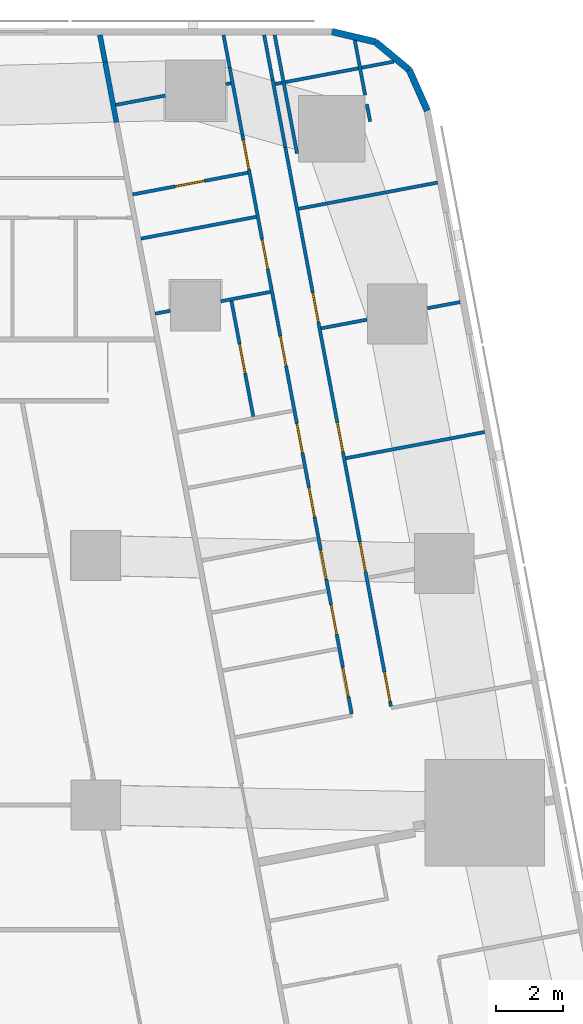
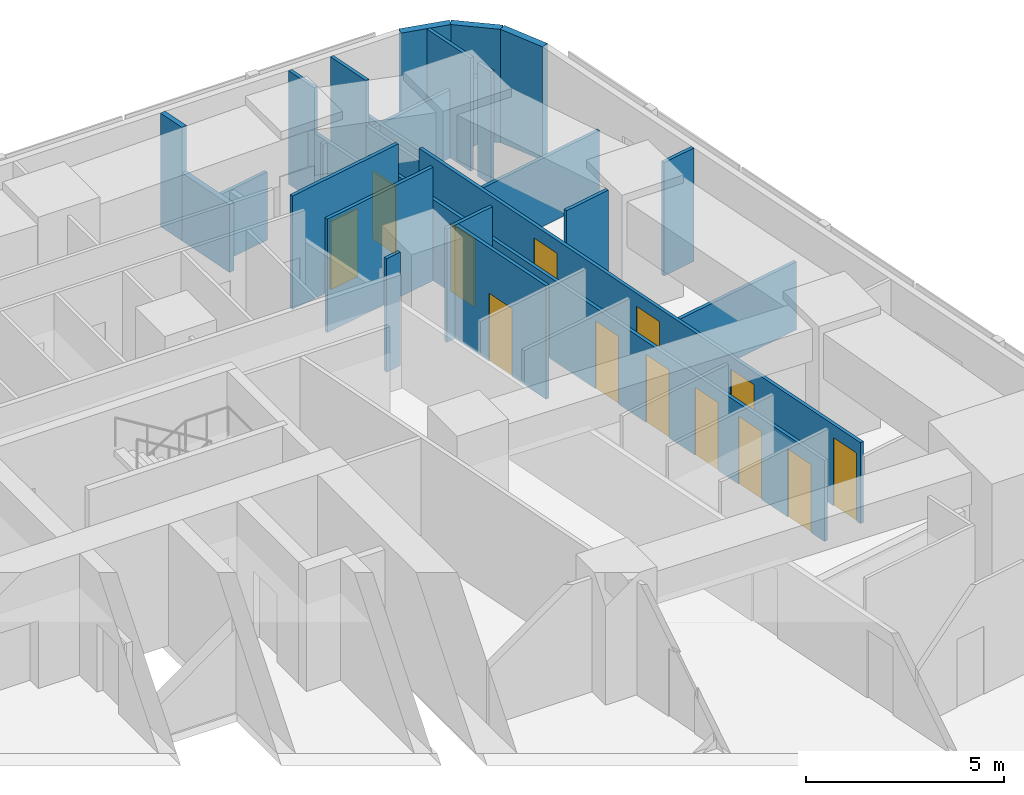
# One storey, part 11 of 15: 26 walls, 14 doors, 14 openings.
"""IFC4 building model written with IfcOpenShell, lengths in metres."""

from ifc_helpers import new_model, si_unit, direction, frame, frame_2d, origin, place, context, subcontext, project, spatial, rectangle, extrude, material, layer, layer_set, type_object, element, fill, save


model = new_model("IFC4")

# Units and contexts
model_context = context("Model", 3, precision=1e-05, world=origin(), true_north=direction((0.0, 1.0)))
body_context = subcontext(model_context, "Body", "Model", "MODEL_VIEW")
ifc_project = project(units=[si_unit("LENGTHUNIT", "METRE"), si_unit("AREAUNIT", "SQUARE_METRE"), si_unit("VOLUMEUNIT", "CUBIC_METRE"), si_unit("PLANEANGLEUNIT", "RADIAN"), si_unit("MASSUNIT", "GRAM", prefix="KILO")], contexts=[model_context])

# Site, building, storey
site_placement = place(None, origin())
site = spatial("IfcSite", under=ifc_project, at=site_placement, CompositionType="ELEMENT")
building_placement = place(site_placement, origin())
building = spatial("IfcBuilding", under=site, at=building_placement, Name="Sheger Commons Tower", CompositionType="ELEMENT")
storey_placement = place(building_placement, frame((0.0, 0.0, 139.550048828125)))
storey = spatial("IfcBuildingStorey", under=building, at=storey_placement, Name="L35", CompositionType="ELEMENT", Elevation=139.550048828125)

# Walls
ifc_material_1 = material(Name="Hollow concrete block masonry, skimmed both sides", Category="masonry")
ifc_layer_1 = layer(ifc_material_1, 0.14990234375)
ifc_layer_set_1 = layer_set([ifc_layer_1], Name="CORRIDOR WALL 150")
wall_type_1 = type_object("IfcWallType", Name="CORRIDOR WALL 150", PredefinedType="SOLIDWALL", material=ifc_layer_set_1)
wall_1_placement = place(storey_placement, frame((33.126953125, 45.64990234375, 0.0), z_axis=(0.0, 0.0, 1.0), x_axis=(0.186176514576, -0.982516313056, 0.0)))
element("IfcWall", 1, at=wall_1_placement, inside=storey, type_object=wall_type_1, Name="Corridor wall L35", PredefinedType="SOLIDWALL", context=body_context, shape_type="SweptSolid", body=[
    extrude(rectangle(XDim=0.827392578125, YDim=0.14990234375, at=frame_2d((0.41357421875, 0.0))), origin(), (0.0, 0.0, 1.0), 3.5),
])
wall_2_placement = place(storey_placement, frame((33.281005859375, 44.8369140625, 0.0), z_axis=(0.0, 0.0, 1.0), x_axis=(0.185198323004, -0.982701165745, 0.0)))
element("IfcWall", 2, at=wall_2_placement, inside=storey, type_object=wall_type_1, Name="Corridor wall L35", PredefinedType="SOLIDWALL", context=body_context, shape_type="SweptSolid", body=[
    extrude(rectangle(XDim=1.846923828125, YDim=0.14990234375, at=frame_2d((0.92333984375, 0.0))), origin(), (0.0, 0.0, 1.0), 2.099853515625),
])
ifc_material_2 = material(Name="Rendered concrete block masonry, dark grey", Category="masonry")
ifc_layer_2 = layer(ifc_material_2, 0.199951171875)
ifc_layer_set_2 = layer_set([ifc_layer_2], Name="FACADE WALL 200")
wall_type_2 = type_object("IfcWallType", Name="FACADE WALL 200", PredefinedType="SOLIDWALL", material=ifc_layer_set_2)
wall_3_placement = place(storey_placement, frame((42.969970703125, 43.376953125, 0.0), z_axis=(0.0, 0.0, 1.0), x_axis=(-0.406002956633, 0.913871762998, 0.0)))
element("IfcWall", 3, at=wall_3_placement, inside=storey, type_object=wall_type_2, Name="Facade wall L35", PredefinedType="SOLIDWALL", context=body_context, shape_type="SweptSolid", body=[
    extrude(rectangle(XDim=1.33740234375, YDim=0.199951171875, at=frame_2d((0.668701171875, 0.0))), origin(), (0.0, 0.0, 1.0), 3.5),
])
wall_4_placement = place(storey_placement, frame((42.427001953125, 44.59912109375, 0.0), z_axis=(0.0, 0.0, 1.0), x_axis=(-0.770091412544, 0.637933551655, 0.0)))
element("IfcWall", 4, at=wall_4_placement, inside=storey, type_object=wall_type_2, Name="Facade wall L35", PredefinedType="SOLIDWALL", context=body_context, shape_type="SweptSolid", body=[
    extrude(rectangle(XDim=1.324462890625, YDim=0.199951171875, at=frame_2d((0.662109375, 0.0))), origin(), (0.0, 0.0, 1.0), 3.5),
])
wall_5_placement = place(storey_placement, frame((41.406982421875, 45.444091796875, 0.0), z_axis=(0.0, 0.0, 1.0), x_axis=(-0.973453091607, 0.228886606077, 0.0)))
element("IfcWall", 5, at=wall_5_placement, inside=storey, type_object=wall_type_2, Name="Facade wall L35", PredefinedType="SOLIDWALL", context=body_context, shape_type="SweptSolid", body=[
    extrude(rectangle(XDim=1.33642578125, YDim=0.199951171875, at=frame_2d((0.668212890625, 0.0))), origin(), (0.0, 0.0, 1.0), 3.5),
])
ifc_material_3 = material(Name="Gypsum board on steel studs", Category="steel")
ifc_layer_3 = layer(ifc_material_3, 0.10009765625)
ifc_layer_set_3 = layer_set([ifc_layer_3], Name="PARTITION 100")
wall_type_3 = type_object("IfcWallType", Name="PARTITION 100", PredefinedType="PARTITIONING", material=ifc_layer_set_3)
wall_6_placement = place(storey_placement, frame((39.053955078125, 42.0849609375, 0.0), z_axis=(0.0, 0.0, 1.0), x_axis=(-0.185791584218, 0.982589175207, 0.0)))
element("IfcWall", 6, at=wall_6_placement, inside=storey, type_object=wall_type_3, Name="Partition L35", PredefinedType="PARTITIONING", context=body_context, shape_type="SweptSolid", body=[
    extrude(rectangle(XDim=3.628173828125, YDim=0.10009765625, at=frame_2d((1.81396484375, 0.0))), origin(), (0.0, 0.0, 1.0), 2.099853515625),
])
wall_7_placement = place(storey_placement, frame((40.7890625, 45.487060546875, 0.0), z_axis=(0.0, 0.0, 1.0), x_axis=(0.185572395193, -0.982630594955, 0.0)))
element("IfcWall", 7, at=wall_7_placement, inside=storey, type_object=wall_type_3, Name="Partition L35", PredefinedType="PARTITIONING", context=body_context, shape_type="SweptSolid", body=[
    extrude(rectangle(XDim=1.676025390625, YDim=0.10009765625, at=frame_2d((0.837890625, 0.0))), origin(), (0.0, 0.0, 1.0), 3.5),
])
wall_8_placement = place(storey_placement, frame((41.15087890625, 43.569091796875, 0.0), z_axis=(0.0, 0.0, 1.0), x_axis=(0.186563073924, -0.982442985342, 0.0)))
element("IfcWall", 8, at=wall_8_placement, inside=storey, type_object=wall_type_3, Name="Partition L35", PredefinedType="PARTITIONING", context=body_context, shape_type="SweptSolid", body=[
    extrude(rectangle(XDim=0.53125, YDim=0.10009765625, at=frame_2d((0.265625, 0.0))), origin(), (0.0, 0.0, 1.0), 3.5),
])
wall_9_placement = place(storey_placement, frame((38.06298828125, 45.64990234375, 0.0), z_axis=(0.0, 0.0, 1.0), x_axis=(0.185456359766, -0.982652501458, 0.0)))
element("IfcWall", 9, at=wall_9_placement, inside=storey, type_object=wall_type_3, Name="Partition L35", PredefinedType="PARTITIONING", context=body_context, shape_type="SweptSolid", body=[
    extrude(rectangle(XDim=1.375732421875, YDim=0.10009765625, at=frame_2d((0.68798828125, 0.0))), origin(), (0.0, 0.0, 1.0), 3.5),
])
wall_10_placement = place(storey_placement, frame((38.318115234375, 44.298095703125, 0.0), z_axis=(0.0, 0.0, 1.0), x_axis=(0.185481135188, -0.982647825261, 0.0)))
element("IfcWall", 10, at=wall_10_placement, inside=storey, type_object=wall_type_3, Name="Partition L35", PredefinedType="PARTITIONING", context=body_context, shape_type="SweptSolid", body=[
    extrude(rectangle(XDim=2.06396484375, YDim=0.10009765625, at=frame_2d((1.031982421875, 0.0))), origin(), (0.0, 0.0, 1.0), 2.099853515625),
])

# Wall, openings, doors
wall_11_placement = place(storey_placement, frame((38.700927734375, 42.27001953125, 0.0), z_axis=(0.0, 0.0, 1.0), x_axis=(0.185640619081, -0.98261770824, 0.0)))
wall_11 = element("IfcWall", 11, at=wall_11_placement, inside=storey, type_object=wall_type_3, Name="Partition L35", PredefinedType="PARTITIONING", context=body_context, shape_type="SweptSolid", body=[
    extrude(rectangle(XDim=17.103271484375, YDim=0.10009765625, at=frame_2d((8.5517578125, 0.0))), origin(), (0.0, 0.0, 1.0), 2.5),
])
opening_1_placement = place(wall_11_placement, frame((16.052978515625, 0.0, 0.0)))
opening_1 = element("IfcOpeningElement", 12, at=opening_1_placement, cuts=wall_11, Name="Opening D2", PredefinedType="OPENING", context=body_context, shape_type="SweptSolid", body=[
    extrude(rectangle(XDim=0.89990234375, YDim=2.10009765625, at=frame_2d((0.449951171875, 1.050048828125))), frame((0.0, 0.06005859375, 0.0), z_axis=(0.0, -1.0, 0.0), x_axis=(1.0, 0.0, 0.0)), (0.0, 0.0, 1.0), 0.1201171875),
])
opening_2_placement = place(wall_11_placement, frame((12.076904296875, 0.0, 0.0)))
opening_2 = element("IfcOpeningElement", 13, at=opening_2_placement, cuts=wall_11, Name="Opening D2", PredefinedType="OPENING", context=body_context, shape_type="SweptSolid", body=[
    extrude(rectangle(XDim=0.89990234375, YDim=2.10009765625, at=frame_2d((0.449951171875, 1.050048828125))), frame((0.0, 0.06005859375, 0.0), z_axis=(0.0, -1.0, 0.0), x_axis=(1.0, 0.0, 0.0)), (0.0, 0.0, 1.0), 0.1201171875),
])
opening_3_placement = place(wall_11_placement, frame((8.419921875, 0.0, 0.0)))
opening_3 = element("IfcOpeningElement", 14, at=opening_3_placement, cuts=wall_11, Name="Opening D2", PredefinedType="OPENING", context=body_context, shape_type="SweptSolid", body=[
    extrude(rectangle(XDim=0.89990234375, YDim=2.10009765625, at=frame_2d((0.449951171875, 1.050048828125))), frame((0.0, 0.06005859375, 0.0), z_axis=(0.0, -1.0, 0.0), x_axis=(1.0, 0.0, 0.0)), (0.0, 0.0, 1.0), 0.1201171875),
])
opening_4_placement = place(wall_11_placement, frame((4.444091796875, 0.0, 0.0)))
opening_4 = element("IfcOpeningElement", 15, at=opening_4_placement, cuts=wall_11, Name="Opening D2", PredefinedType="OPENING", context=body_context, shape_type="SweptSolid", body=[
    extrude(rectangle(XDim=0.89990234375, YDim=2.10009765625, at=frame_2d((0.449951171875, 1.050048828125))), frame((0.0, 0.06005859375, 0.0), z_axis=(0.0, -1.0, 0.0), x_axis=(1.0, 0.0, 0.0)), (0.0, 0.0, 1.0), 0.1201171875),
])
ifc_material_4 = material(Name="Timber door set", Category="wood")
door_type = type_object("IfcDoorType", Name="INTERNAL DOOR 900x2100", OperationType="NOTDEFINED", PredefinedType="DOOR", material=ifc_material_4)
door_1_placement = place(opening_1_placement, origin())
door_1 = element("IfcDoor", 16, at=door_1_placement, inside=storey, type_object=door_type, Name="Main bedroom door", OperationType="SINGLE_SWING_RIGHT", OverallHeight=2.10009765625, OverallWidth=0.89990234375, PredefinedType="DOOR", context=body_context, shape_type="SweptSolid", body=[
    extrude(rectangle(XDim=0.89990234375, YDim=2.10009765625, at=frame_2d((0.449951171875, 1.050048828125))), frame((0.0, 0.02490234375, 0.0), z_axis=(0.0, -1.0, 0.0), x_axis=(1.0, 0.0, 0.0)), (0.0, 0.0, 1.0), 0.050048828125),
])
fill(opening_1, door_1)
door_2_placement = place(opening_2_placement, origin())
door_2 = element("IfcDoor", 17, at=door_2_placement, inside=storey, type_object=door_type, Name="Bedroom 2 door", OperationType="SINGLE_SWING_RIGHT", OverallHeight=2.10009765625, OverallWidth=0.89990234375, PredefinedType="DOOR", context=body_context, shape_type="SweptSolid", body=[
    extrude(rectangle(XDim=0.89990234375, YDim=2.10009765625, at=frame_2d((0.449951171875, 1.050048828125))), frame((0.0, 0.02490234375, 0.0), z_axis=(0.0, -1.0, 0.0), x_axis=(1.0, 0.0, 0.0)), (0.0, 0.0, 1.0), 0.050048828125),
])
fill(opening_2, door_2)
door_3_placement = place(opening_3_placement, origin())
door_3 = element("IfcDoor", 18, at=door_3_placement, inside=storey, type_object=door_type, Name="Bedroom 3 door", OperationType="SINGLE_SWING_RIGHT", OverallHeight=2.10009765625, OverallWidth=0.89990234375, PredefinedType="DOOR", context=body_context, shape_type="SweptSolid", body=[
    extrude(rectangle(XDim=0.89990234375, YDim=2.10009765625, at=frame_2d((0.449951171875, 1.050048828125))), frame((0.0, 0.02490234375, 0.0), z_axis=(0.0, -1.0, 0.0), x_axis=(1.0, 0.0, 0.0)), (0.0, 0.0, 1.0), 0.050048828125),
])
fill(opening_3, door_3)
door_4_placement = place(opening_4_placement, origin())
door_4 = element("IfcDoor", 19, at=door_4_placement, inside=storey, type_object=door_type, Name="Bedroom 4 door", OperationType="SINGLE_SWING_RIGHT", OverallHeight=2.10009765625, OverallWidth=0.89990234375, PredefinedType="DOOR", context=body_context, shape_type="SweptSolid", body=[
    extrude(rectangle(XDim=0.89990234375, YDim=2.10009765625, at=frame_2d((0.449951171875, 1.050048828125))), frame((0.0, 0.02490234375, 0.0), z_axis=(0.0, -1.0, 0.0), x_axis=(1.0, 0.0, 0.0)), (0.0, 0.0, 1.0), 0.050048828125),
])
fill(opening_4, door_4)

# Walls
wall_12_placement = place(storey_placement, frame((36.842041015625, 45.64990234375, 0.0), z_axis=(0.0, 0.0, 1.0), x_axis=(0.185789875365, -0.982589498322, 0.0)))
element("IfcWall", 20, at=wall_12_placement, inside=storey, type_object=wall_type_3, Name="Partition L35", PredefinedType="PARTITIONING", context=body_context, shape_type="SweptSolid", body=[
    extrude(rectangle(XDim=1.001220703125, YDim=0.10009765625, at=frame_2d((0.50048828125, 0.0))), origin(), (0.0, 0.0, 1.0), 3.5),
])
wall_13_placement = place(storey_placement, frame((37.028076171875, 44.666015625, 0.0), z_axis=(0.0, 0.0, 1.0), x_axis=(0.185481135188, -0.982647825261, 0.0)))
element("IfcWall", 21, at=wall_13_placement, inside=storey, type_object=wall_type_3, Name="Partition L35", PredefinedType="PARTITIONING", context=body_context, shape_type="SweptSolid", body=[
    extrude(rectangle(XDim=2.06396484375, YDim=0.10009765625, at=frame_2d((1.031982421875, 0.0))), origin(), (0.0, 0.0, 1.0), 2.099853515625),
])

# Wall, openings, doors
wall_14_placement = place(storey_placement, frame((37.410888671875, 42.637939453125, 0.0), z_axis=(0.0, 0.0, 1.0), x_axis=(0.185555586706, -0.982633769134, 0.0)))
wall_14 = element("IfcWall", 22, at=wall_14_placement, inside=storey, type_object=wall_type_3, Name="Partition L35", PredefinedType="PARTITIONING", context=body_context, shape_type="SweptSolid", body=[
    extrude(rectangle(XDim=17.704345703125, YDim=0.10009765625, at=frame_2d((8.85205078125, 0.0))), origin(), (0.0, 0.0, 1.0), 2.5),
])
opening_5_placement = place(wall_14_placement, frame((16.280029296875, 0.0, 0.0)))
opening_5 = element("IfcOpeningElement", 23, at=opening_5_placement, cuts=wall_14, Name="Opening D2", PredefinedType="OPENING", context=body_context, shape_type="SweptSolid", body=[
    extrude(rectangle(XDim=0.89990234375, YDim=2.10009765625, at=frame_2d((0.449951171875, 1.050048828125))), frame((0.0, 0.06005859375, 0.0), z_axis=(0.0, -1.0, 0.0), x_axis=(1.0, 0.0, 0.0)), (0.0, 0.0, 1.0), 0.1201171875),
])
opening_6_placement = place(wall_14_placement, frame((12.68798828125, 0.0, 0.0)))
opening_6 = element("IfcOpeningElement", 24, at=opening_6_placement, cuts=wall_14, Name="Opening D2", PredefinedType="OPENING", context=body_context, shape_type="SweptSolid", body=[
    extrude(rectangle(XDim=0.89990234375, YDim=2.10009765625, at=frame_2d((0.449951171875, 1.050048828125))), frame((0.0, 0.06005859375, 0.0), z_axis=(0.0, -1.0, 0.0), x_axis=(1.0, 0.0, 0.0)), (0.0, 0.0, 1.0), 0.1201171875),
])
opening_7_placement = place(wall_14_placement, frame((8.822021484375, 0.0, 0.0)))
opening_7 = element("IfcOpeningElement", 25, at=opening_7_placement, cuts=wall_14, Name="Opening D2", PredefinedType="OPENING", context=body_context, shape_type="SweptSolid", body=[
    extrude(rectangle(XDim=0.89990234375, YDim=2.10009765625, at=frame_2d((0.449951171875, 1.050048828125))), frame((0.0, 0.06005859375, 0.0), z_axis=(0.0, -1.0, 0.0), x_axis=(1.0, 0.0, 0.0)), (0.0, 0.0, 1.0), 0.1201171875),
])
opening_8_placement = place(wall_14_placement, frame((3.18798828125, 0.0, 0.0)))
opening_8 = element("IfcOpeningElement", 26, at=opening_8_placement, cuts=wall_14, Name="Opening D2", PredefinedType="OPENING", context=body_context, shape_type="SweptSolid", body=[
    extrude(rectangle(XDim=0.89990234375, YDim=2.10009765625, at=frame_2d((0.449951171875, 1.050048828125))), frame((0.0, 0.06005859375, 0.0), z_axis=(0.0, -1.0, 0.0), x_axis=(1.0, 0.0, 0.0)), (0.0, 0.0, 1.0), 0.1201171875),
])
opening_9_placement = place(wall_14_placement, frame((0.14990234375, 0.0, 0.0)))
opening_9 = element("IfcOpeningElement", 27, at=opening_9_placement, cuts=wall_14, Name="Opening D2", PredefinedType="OPENING", context=body_context, shape_type="SweptSolid", body=[
    extrude(rectangle(XDim=0.89990234375, YDim=2.10009765625, at=frame_2d((0.449951171875, 1.050048828125))), frame((0.0, 0.06005859375, 0.0), z_axis=(0.0, -1.0, 0.0), x_axis=(1.0, 0.0, 0.0)), (0.0, 0.0, 1.0), 0.1201171875),
])
opening_10_placement = place(wall_14_placement, frame((14.37109375, 0.0, 0.0)))
opening_10 = element("IfcOpeningElement", 28, at=opening_10_placement, cuts=wall_14, Name="Opening D2", PredefinedType="OPENING", context=body_context, shape_type="SweptSolid", body=[
    extrude(rectangle(XDim=0.89990234375, YDim=2.10009765625, at=frame_2d((0.449951171875, 1.050048828125))), frame((0.0, 0.06005859375, 0.0), z_axis=(0.0, -1.0, 0.0), x_axis=(1.0, 0.0, 0.0)), (0.0, 0.0, 1.0), 0.1201171875),
])
opening_11_placement = place(wall_14_placement, frame((10.780029296875, 0.0, 0.0)))
opening_11 = element("IfcOpeningElement", 29, at=opening_11_placement, cuts=wall_14, Name="Opening D2", PredefinedType="OPENING", context=body_context, shape_type="SweptSolid", body=[
    extrude(rectangle(XDim=0.89990234375, YDim=2.10009765625, at=frame_2d((0.449951171875, 1.050048828125))), frame((0.0, 0.06005859375, 0.0), z_axis=(0.0, -1.0, 0.0), x_axis=(1.0, 0.0, 0.0)), (0.0, 0.0, 1.0), 0.1201171875),
])
opening_12_placement = place(wall_14_placement, frame((6.154052734375, 0.0, 0.0)))
opening_12 = element("IfcOpeningElement", 30, at=opening_12_placement, cuts=wall_14, Name="Opening D2", PredefinedType="OPENING", context=body_context, shape_type="SweptSolid", body=[
    extrude(rectangle(XDim=0.89990234375, YDim=2.10009765625, at=frame_2d((0.449951171875, 1.050048828125))), frame((0.0, 0.06005859375, 0.0), z_axis=(0.0, -1.0, 0.0), x_axis=(1.0, 0.0, 0.0)), (0.0, 0.0, 1.0), 0.1201171875),
])
door_5_placement = place(opening_5_placement, origin())
door_5 = element("IfcDoor", 31, at=door_5_placement, inside=storey, type_object=door_type, Name="Bathroom door", OperationType="SINGLE_SWING_LEFT", OverallHeight=2.10009765625, OverallWidth=0.89990234375, PredefinedType="DOOR", context=body_context, shape_type="SweptSolid", body=[
    extrude(rectangle(XDim=0.89990234375, YDim=2.10009765625, at=frame_2d((0.449951171875, 1.050048828125))), frame((0.0, 0.02490234375, 0.0), z_axis=(0.0, -1.0, 0.0), x_axis=(1.0, 0.0, 0.0)), (0.0, 0.0, 1.0), 0.050048828125),
])
fill(opening_5, door_5)
door_6_placement = place(opening_6_placement, origin())
door_6 = element("IfcDoor", 32, at=door_6_placement, inside=storey, type_object=door_type, Name="Shower room door", OperationType="SINGLE_SWING_LEFT", OverallHeight=2.10009765625, OverallWidth=0.89990234375, PredefinedType="DOOR", context=body_context, shape_type="SweptSolid", body=[
    extrude(rectangle(XDim=0.89990234375, YDim=2.10009765625, at=frame_2d((0.449951171875, 1.050048828125))), frame((0.0, 0.02490234375, 0.0), z_axis=(0.0, -1.0, 0.0), x_axis=(1.0, 0.0, 0.0)), (0.0, 0.0, 1.0), 0.050048828125),
])
fill(opening_6, door_6)
door_7_placement = place(opening_7_placement, origin())
door_7 = element("IfcDoor", 33, at=door_7_placement, inside=storey, type_object=door_type, Name="Laundry room door", OperationType="SINGLE_SWING_LEFT", OverallHeight=2.10009765625, OverallWidth=0.89990234375, PredefinedType="DOOR", context=body_context, shape_type="SweptSolid", body=[
    extrude(rectangle(XDim=0.89990234375, YDim=2.10009765625, at=frame_2d((0.449951171875, 1.050048828125))), frame((0.0, 0.02490234375, 0.0), z_axis=(0.0, -1.0, 0.0), x_axis=(1.0, 0.0, 0.0)), (0.0, 0.0, 1.0), 0.050048828125),
])
fill(opening_7, door_7)
door_8_placement = place(opening_8_placement, origin())
door_8 = element("IfcDoor", 34, at=door_8_placement, inside=storey, type_object=door_type, Name="Store and laundry door", OperationType="SINGLE_SWING_RIGHT", OverallHeight=2.10009765625, OverallWidth=0.89990234375, PredefinedType="DOOR", context=body_context, shape_type="SweptSolid", body=[
    extrude(rectangle(XDim=0.89990234375, YDim=2.10009765625, at=frame_2d((0.449951171875, 1.050048828125))), frame((0.0, 0.02490234375, 0.0), z_axis=(0.0, -1.0, 0.0), x_axis=(1.0, 0.0, 0.0)), (0.0, 0.0, 1.0), 0.050048828125),
])
fill(opening_8, door_8)
door_9_placement = place(opening_9_placement, origin())
door_9 = element("IfcDoor", 35, at=door_9_placement, inside=storey, type_object=door_type, Name="Store and laundry door", OperationType="SINGLE_SWING_RIGHT", OverallHeight=2.10009765625, OverallWidth=0.89990234375, PredefinedType="DOOR", context=body_context, shape_type="SweptSolid", body=[
    extrude(rectangle(XDim=0.89990234375, YDim=2.10009765625, at=frame_2d((0.449951171875, 1.050048828125))), frame((0.0, 0.02490234375, 0.0), z_axis=(0.0, -1.0, 0.0), x_axis=(1.0, 0.0, 0.0)), (0.0, 0.0, 1.0), 0.050048828125),
])
fill(opening_9, door_9)
door_10_placement = place(opening_10_placement, origin())
door_10 = element("IfcDoor", 36, at=door_10_placement, inside=storey, type_object=door_type, Name="Store door", OperationType="SINGLE_SWING_RIGHT", OverallHeight=2.10009765625, OverallWidth=0.89990234375, PredefinedType="DOOR", context=body_context, shape_type="SweptSolid", body=[
    extrude(rectangle(XDim=0.89990234375, YDim=2.10009765625, at=frame_2d((0.449951171875, 1.050048828125))), frame((0.0, 0.02490234375, 0.0), z_axis=(0.0, -1.0, 0.0), x_axis=(1.0, 0.0, 0.0)), (0.0, 0.0, 1.0), 0.050048828125),
])
fill(opening_10, door_10)
door_11_placement = place(opening_11_placement, origin())
door_11 = element("IfcDoor", 37, at=door_11_placement, inside=storey, type_object=door_type, Name="Store door", OperationType="SINGLE_SWING_RIGHT", OverallHeight=2.10009765625, OverallWidth=0.89990234375, PredefinedType="DOOR", context=body_context, shape_type="SweptSolid", body=[
    extrude(rectangle(XDim=0.89990234375, YDim=2.10009765625, at=frame_2d((0.449951171875, 1.050048828125))), frame((0.0, 0.02490234375, 0.0), z_axis=(0.0, -1.0, 0.0), x_axis=(1.0, 0.0, 0.0)), (0.0, 0.0, 1.0), 0.050048828125),
])
fill(opening_11, door_11)
door_12_placement = place(opening_12_placement, origin())
door_12 = element("IfcDoor", 38, at=door_12_placement, inside=storey, type_object=door_type, Name="Store door", OperationType="SINGLE_SWING_LEFT", OverallHeight=2.10009765625, OverallWidth=0.89990234375, PredefinedType="DOOR", context=body_context, shape_type="SweptSolid", body=[
    extrude(rectangle(XDim=0.89990234375, YDim=2.10009765625, at=frame_2d((0.449951171875, 1.050048828125))), frame((0.0, 0.02490234375, 0.0), z_axis=(0.0, -1.0, 0.0), x_axis=(1.0, 0.0, 0.0)), (0.0, 0.0, 1.0), 0.050048828125),
])
fill(opening_12, door_12)

# Walls
wall_15_placement = place(storey_placement, frame((41.968017578125, 44.85009765625, 0.0), z_axis=(0.0, 0.0, 1.0), x_axis=(-0.98258614234, -0.185807623311, 0.0)))
element("IfcWall", 39, at=wall_15_placement, inside=storey, type_object=wall_type_3, Name="Partition L35", PredefinedType="PARTITIONING", context=body_context, shape_type="SweptSolid", body=[
    extrude(rectangle(XDim=3.638427734375, YDim=0.10009765625, at=frame_2d((1.8193359375, 0.0))), origin(), (0.0, 0.0, 1.0), 2.099853515625),
])
wall_16_placement = place(storey_placement, frame((43.277099609375, 41.2119140625, 0.0), z_axis=(0.0, 0.0, 1.0), x_axis=(-0.982665405803, -0.185387972203, 0.0)))
element("IfcWall", 40, at=wall_16_placement, inside=storey, type_object=wall_type_3, Name="Partition L35", PredefinedType="PARTITIONING", context=body_context, shape_type="SweptSolid", body=[
    extrude(rectangle(XDim=4.249755859375, YDim=0.10009765625, at=frame_2d((2.125, 0.0))), origin(), (0.0, 0.0, 1.0), 2.099853515625),
])
wall_17_placement = place(storey_placement, frame((43.955078125, 37.6201171875, 0.0), z_axis=(0.0, 0.0, 1.0), x_axis=(-0.982666697719, -0.185381124159, 0.0)))
element("IfcWall", 41, at=wall_17_placement, inside=storey, type_object=wall_type_3, Name="Partition L35", PredefinedType="PARTITIONING", context=body_context, shape_type="SweptSolid", body=[
    extrude(rectangle(XDim=0.998291015625, YDim=0.10009765625, at=frame_2d((0.4990234375, 0.0))), origin(), (0.0, 0.0, 1.0), 3.5),
])
wall_18_placement = place(storey_placement, frame((41.154052734375, 37.091064453125, 0.0), z_axis=(0.0, 0.0, 1.0), x_axis=(-0.982562488259, -0.185932667021, 0.0)))
element("IfcWall", 42, at=wall_18_placement, inside=storey, type_object=wall_type_3, Name="Partition L35", PredefinedType="PARTITIONING", context=body_context, shape_type="SweptSolid", body=[
    extrude(rectangle(XDim=1.3984375, YDim=0.10009765625, at=frame_2d((0.69921875, 0.0))), origin(), (0.0, 0.0, 1.0), 3.5),
])
wall_19_placement = place(storey_placement, frame((44.693115234375, 33.712890625, 0.0), z_axis=(0.0, 0.0, 1.0), x_axis=(-0.982615600536, -0.185651775062, 0.0)))
element("IfcWall", 43, at=wall_19_placement, inside=storey, type_object=wall_type_3, Name="Partition L35", PredefinedType="PARTITIONING", context=body_context, shape_type="SweptSolid", body=[
    extrude(rectangle(XDim=4.2490234375, YDim=0.10009765625, at=frame_2d((2.12451171875, 0.0))), origin(), (0.0, 0.0, 1.0), 2.099853515625),
])
wall_20_placement = place(storey_placement, frame((37.06494140625, 44.200927734375, 0.0), z_axis=(0.0, 0.0, 1.0), x_axis=(-0.983168876381, -0.182699098288, 0.0)))
element("IfcWall", 44, at=wall_20_placement, inside=storey, type_object=wall_type_3, Name="Partition L35", PredefinedType="PARTITIONING", context=body_context, shape_type="SweptSolid", body=[
    extrude(rectangle(XDim=0.15771484375, YDim=0.10009765625, at=frame_2d((0.078857421875, 0.0))), origin(), (0.0, 0.0, 1.0), 2.099853515625),
])
wall_21_placement = place(storey_placement, frame((35.090087890625, 43.827880859375, 0.0), z_axis=(0.0, 0.0, 1.0), x_axis=(-0.982683801717, -0.185290436461, 0.0)))
element("IfcWall", 45, at=wall_21_placement, inside=storey, type_object=wall_type_3, Name="Partition L35", PredefinedType="PARTITIONING", context=body_context, shape_type="SweptSolid", body=[
    extrude(rectangle(XDim=1.51513671875, YDim=0.10009765625, at=frame_2d((0.757568359375, 0.0))), origin(), (0.0, 0.0, 1.0), 2.099853515625),
])
wall_22_placement = place(storey_placement, frame((37.823974609375, 40.181884765625, 0.0), z_axis=(0.0, 0.0, 1.0), x_axis=(-0.982648794755, -0.185475998897, 0.0)))
element("IfcWall", 46, at=wall_22_placement, inside=storey, type_object=wall_type_3, Name="Partition L35", PredefinedType="PARTITIONING", context=body_context, shape_type="SweptSolid", body=[
    extrude(rectangle(XDim=3.525146484375, YDim=0.10009765625, at=frame_2d((1.7626953125, 0.0))), origin(), (0.0, 0.0, 1.0), 3.5),
])
wall_23_placement = place(storey_placement, frame((38.25, 37.925048828125, 0.0), z_axis=(0.0, 0.0, 1.0), x_axis=(-0.982676595259, -0.18532865167, 0.0)))
element("IfcWall", 47, at=wall_23_placement, inside=storey, type_object=wall_type_3, Name="Partition L35", PredefinedType="PARTITIONING", context=body_context, shape_type="SweptSolid", body=[
    extrude(rectangle(XDim=1.516357421875, YDim=0.10009765625, at=frame_2d((0.75830078125, 0.0))), origin(), (0.0, 0.0, 1.0), 3.5),
])
wall_24_placement = place(storey_placement, frame((35.239990234375, 37.35693359375, 0.0), z_axis=(0.0, 0.0, 1.0), x_axis=(-0.982559813104, -0.18594680334, 0.0)))
element("IfcWall", 48, at=wall_24_placement, inside=storey, type_object=wall_type_3, Name="Partition L35", PredefinedType="PARTITIONING", context=body_context, shape_type="SweptSolid", body=[
    extrude(rectangle(XDim=0.462158203125, YDim=0.10009765625, at=frame_2d((0.23095703125, 0.0))), origin(), (0.0, 0.0, 1.0), 3.5),
])

# Wall, opening, door
wall_25_placement = place(storey_placement, frame((37.080078125, 37.653076171875, 0.0), z_axis=(0.0, 0.0, 1.0), x_axis=(0.185864634688, -0.982575359742, 0.0)))
wall_25 = element("IfcWall", 49, at=wall_25_placement, inside=storey, type_object=wall_type_3, Name="Partition L35", PredefinedType="PARTITIONING", context=body_context, shape_type="SweptSolid", body=[
    extrude(rectangle(XDim=3.53466796875, YDim=0.10009765625, at=frame_2d((1.767333984375, 0.0))), origin(), (0.0, 0.0, 1.0), 3.5),
])
opening_13_placement = place(wall_25_placement, frame((1.31689453125, 0.0, 0.0)))
opening_13 = element("IfcOpeningElement", 50, at=opening_13_placement, cuts=wall_25, Name="Opening D2", PredefinedType="OPENING", context=body_context, shape_type="SweptSolid", body=[
    extrude(rectangle(XDim=0.89990234375, YDim=2.10009765625, at=frame_2d((0.449951171875, 1.050048828125))), frame((0.0, 0.06005859375, 0.0), z_axis=(0.0, -1.0, 0.0), x_axis=(1.0, 0.0, 0.0)), (0.0, 0.0, 1.0), 0.1201171875),
])
door_13_placement = place(opening_13_placement, origin())
door_13 = element("IfcDoor", 51, at=door_13_placement, inside=storey, type_object=door_type, Name="Store door", OperationType="SINGLE_SWING_LEFT", OverallHeight=2.10009765625, OverallWidth=0.89990234375, PredefinedType="DOOR", context=body_context, shape_type="SweptSolid", body=[
    extrude(rectangle(XDim=0.89990234375, YDim=2.10009765625, at=frame_2d((0.449951171875, 1.050048828125))), frame((0.0, 0.02490234375, 0.0), z_axis=(0.0, -1.0, 0.0), x_axis=(1.0, 0.0, 0.0)), (0.0, 0.0, 1.0), 0.050048828125),
])
fill(opening_13, door_13)

wall_26_placement = place(storey_placement, frame((37.572998046875, 41.509033203125, 0.0), z_axis=(0.0, 0.0, 1.0), x_axis=(-0.982638553676, -0.185530247748, 0.0)))
wall_26 = element("IfcWall", 52, at=wall_26_placement, inside=storey, type_object=wall_type_3, Name="Partition L35", PredefinedType="PARTITIONING", context=body_context, shape_type="SweptSolid", body=[
    extrude(rectangle(XDim=3.525390625, YDim=0.10009765625, at=frame_2d((1.7626953125, 0.0))), origin(), (0.0, 0.0, 1.0), 3.5),
])
opening_14_placement = place(wall_26_placement, frame((1.324951171875, 0.0, 0.0)))
opening_14 = element("IfcOpeningElement", 53, at=opening_14_placement, cuts=wall_26, Name="Opening D2", PredefinedType="OPENING", context=body_context, shape_type="SweptSolid", body=[
    extrude(rectangle(XDim=0.89990234375, YDim=2.10009765625, at=frame_2d((0.449951171875, 1.050048828125))), frame((0.0, 0.06005859375, 0.0), z_axis=(0.0, -1.0, 0.0), x_axis=(1.0, 0.0, 0.0)), (0.0, 0.0, 1.0), 0.1201171875),
])
door_14_placement = place(opening_14_placement, origin())
door_14 = element("IfcDoor", 54, at=door_14_placement, inside=storey, type_object=door_type, Name="Store door", OperationType="SINGLE_SWING_LEFT", OverallHeight=2.10009765625, OverallWidth=0.89990234375, PredefinedType="DOOR", context=body_context, shape_type="SweptSolid", body=[
    extrude(rectangle(XDim=0.89990234375, YDim=2.10009765625, at=frame_2d((0.449951171875, 1.050048828125))), frame((0.0, 0.02490234375, 0.0), z_axis=(0.0, -1.0, 0.0), x_axis=(1.0, 0.0, 0.0)), (0.0, 0.0, 1.0), 0.050048828125),
])
fill(opening_14, door_14)

save(model, "model.ifc")
